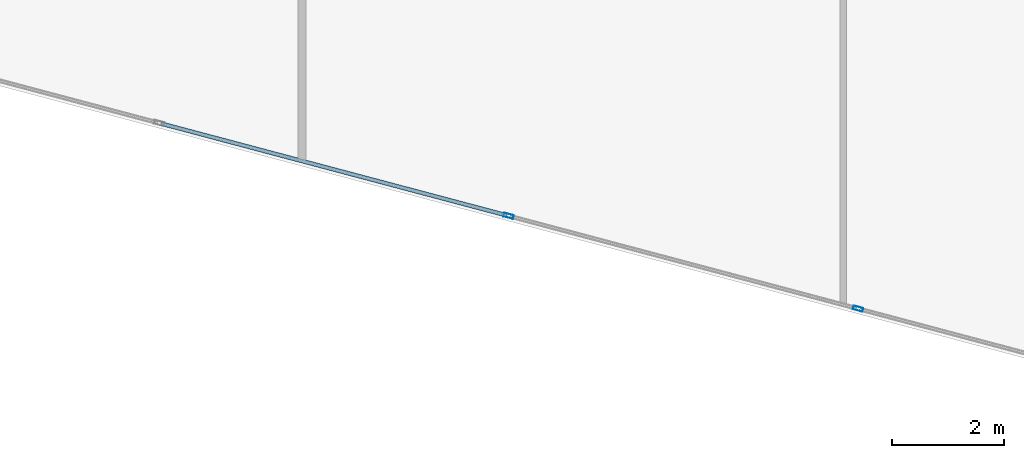
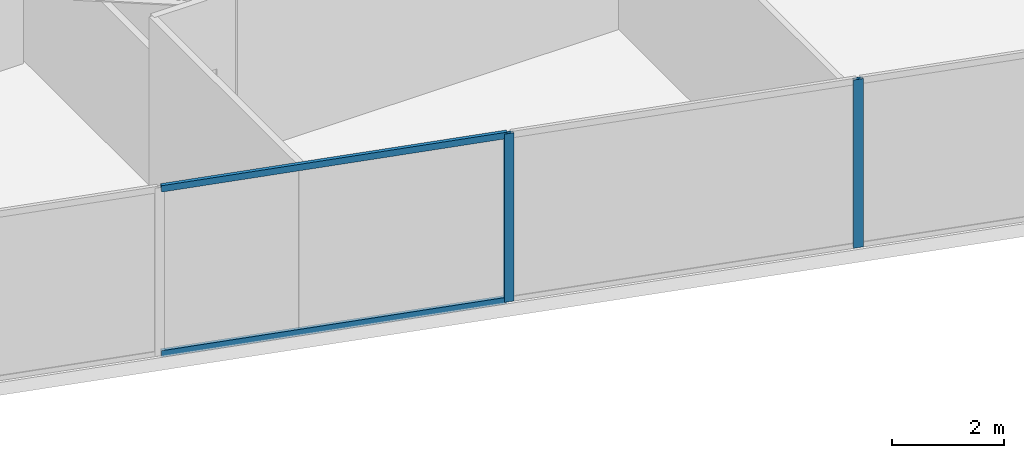
# One storey, part 4 of 27: 4 members, 1 element without a shape of its own.
"""IFC4 building model written with IfcOpenShell, lengths in metres."""

from ifc_helpers import new_model, si_unit, direction, frame, origin, origin_2d, place, context, subcontext, project, spatial, hollow_rectangle, extrude, source, transform, mapped, material, material_profile, profile_set, type_object, type_shapes, element, aggregate, save


model = new_model("IFC4")

# Units and contexts
model_context = context("Model", 3, precision=1e-05, world=origin(), true_north=direction((0.0, 1.0)))
body_context = subcontext(model_context, "Body", "Model", "MODEL_VIEW")
ifc_project = project(units=[si_unit("LENGTHUNIT", "METRE"), si_unit("AREAUNIT", "SQUARE_METRE"), si_unit("VOLUMEUNIT", "CUBIC_METRE"), si_unit("PLANEANGLEUNIT", "RADIAN"), si_unit("MASSUNIT", "GRAM", prefix="KILO")], contexts=[model_context])

# Site, building, storey
site_placement = place(None, origin())
site = spatial("IfcSite", under=ifc_project, at=site_placement, CompositionType="ELEMENT")
building_placement = place(site_placement, origin())
building = spatial("IfcBuilding", under=site, at=building_placement, Name="Krantzveldt Concourse Tower", CompositionType="ELEMENT")
storey_placement = place(building_placement, frame((0.0, 0.0, 101.89990234375)))
storey = spatial("IfcBuildingStorey", under=building, at=storey_placement, Name="L24", CompositionType="ELEMENT", Elevation=101.89990234375)

# Curtain wall, members
ifc_material = material(Name="Anodised aluminium 6063-T6", Category="aluminium")
curtain_wall_type = type_object("IfcCurtainWallType", Name="CW2", PredefinedType="USERDEFINED", material=ifc_material)
curtain_wall_placement = place(storey_placement, origin())
curtain_wall = element("IfcCurtainWall", 1, at=curtain_wall_placement, inside=storey, type_object=curtain_wall_type, Name="CW-L24-F04", ObjectType="UNITISED CURTAIN WALL", PredefinedType="USERDEFINED")
ifc_material_profile_1 = material_profile(ifc_material, hollow_rectangle(XDim=0.070068359375, YDim=0.179931640625, WallThickness=0.0048828125, at=origin_2d()), Name="Anodised aluminium 6063-T6", Category="aluminium")
ifc_profile_set_1 = profile_set([ifc_material_profile_1], Name="Anodised aluminium 6063-T6 - ALU-MULL 180x70x5")
member_type_1 = type_object("IfcMemberType", Name="CW-MUL-180", PredefinedType="MULLION", material=ifc_profile_set_1)
shared_shape_1 = source(origin(), body_context, "Body", "SweptSolid", [
    extrude(hollow_rectangle(XDim=0.070068359375, YDim=0.179931640625, WallThickness=0.0048828125, at=origin_2d()), origin(), (0.0, 0.0, 1.0), 3.670166015625),
])
type_shapes(member_type_1, [shared_shape_1])
member_1_placement = place(storey_placement, frame((30.01611328125, 4.171142578125, 0.0), z_axis=(0.0, 0.0, 1.0), x_axis=(0.256711093648, 0.966488186373, 0.0)))
member_1 = element("IfcMember", 2, at=member_1_placement, type_object=member_type_1, Name="CW-Z12 mullion 4", PredefinedType="MULLION", context=body_context, shape_type="MappedRepresentation", body=[
    mapped(shared_shape_1, transform((0.0, 0.0, 0.0), x_axis=(1.0, 0.0, 0.0), y_axis=(0.0, 1.0, 0.0), z_axis=(0.0, 0.0, 1.0), scale=1.0)),
])
member_2_placement = place(storey_placement, frame((36.26611328125, 2.510986328125, 0.0), z_axis=(0.0, 0.0, 1.0), x_axis=(0.256711093648, 0.966488186373, 0.0)))
member_2 = element("IfcMember", 3, at=member_2_placement, type_object=member_type_1, Name="CW-Z12 mullion 5", PredefinedType="MULLION", context=body_context, shape_type="MappedRepresentation", body=[
    mapped(shared_shape_1, transform((0.0, 0.0, 0.0), x_axis=(1.0, 0.0, 0.0), y_axis=(0.0, 1.0, 0.0), z_axis=(0.0, 0.0, 1.0), scale=1.0)),
])
ifc_material_profile_2 = material_profile(ifc_material, hollow_rectangle(XDim=0.070068359375, YDim=0.139892578125, WallThickness=0.0048828125, at=origin_2d()), Name="Anodised aluminium 6063-T6", Category="aluminium")
ifc_profile_set_2 = profile_set([ifc_material_profile_2], Name="Anodised aluminium 6063-T6 - ALU-TRAN 140x70x5")
member_type_2 = type_object("IfcMemberType", Name="CW-TRN-150", PredefinedType="USERDEFINED", material=ifc_profile_set_2)
shared_shape_2 = source(origin(), body_context, "Body", "SweptSolid", [
    extrude(hollow_rectangle(XDim=0.070068359375, YDim=0.139892578125, WallThickness=0.0048828125, at=origin_2d()), origin(), (0.0, 0.0, 1.0), 6.396484375),
])
type_shapes(member_type_2, [shared_shape_2])
member_3_placement = place(storey_placement, frame((23.800048828125, 5.822265625, 0.03515625), z_axis=(0.966486606622, -0.256717041156, 0.0), x_axis=(0.256717041156, 0.966486606622, 0.0)))
member_3 = element("IfcMember", 4, at=member_3_placement, type_object=member_type_2, Name="CW-Z12 transom 3.1", ObjectType="TRANSOM", PredefinedType="USERDEFINED", context=body_context, shape_type="MappedRepresentation", body=[
    mapped(shared_shape_2, transform((0.0, 0.0, 0.0), x_axis=(1.0, 0.0, 0.0), y_axis=(0.0, 1.0, 0.0), z_axis=(0.0, 0.0, 1.0), scale=1.0)),
])
member_4_placement = place(storey_placement, frame((23.800048828125, 5.822265625, 3.635009765625), z_axis=(0.966486606622, -0.256717041156, 0.0), x_axis=(0.256717041156, 0.966486606622, 0.0)))
member_4 = element("IfcMember", 5, at=member_4_placement, type_object=member_type_2, Name="CW-Z12 transom 3.2", ObjectType="TRANSOM", PredefinedType="USERDEFINED", context=body_context, shape_type="MappedRepresentation", body=[
    mapped(shared_shape_2, transform((0.0, 0.0, 0.0), x_axis=(1.0, 0.0, 0.0), y_axis=(0.0, 1.0, 0.0), z_axis=(0.0, 0.0, 1.0), scale=1.0)),
])
aggregate(curtain_wall, [member_1, member_2, member_3, member_4])

save(model, "model.ifc")
